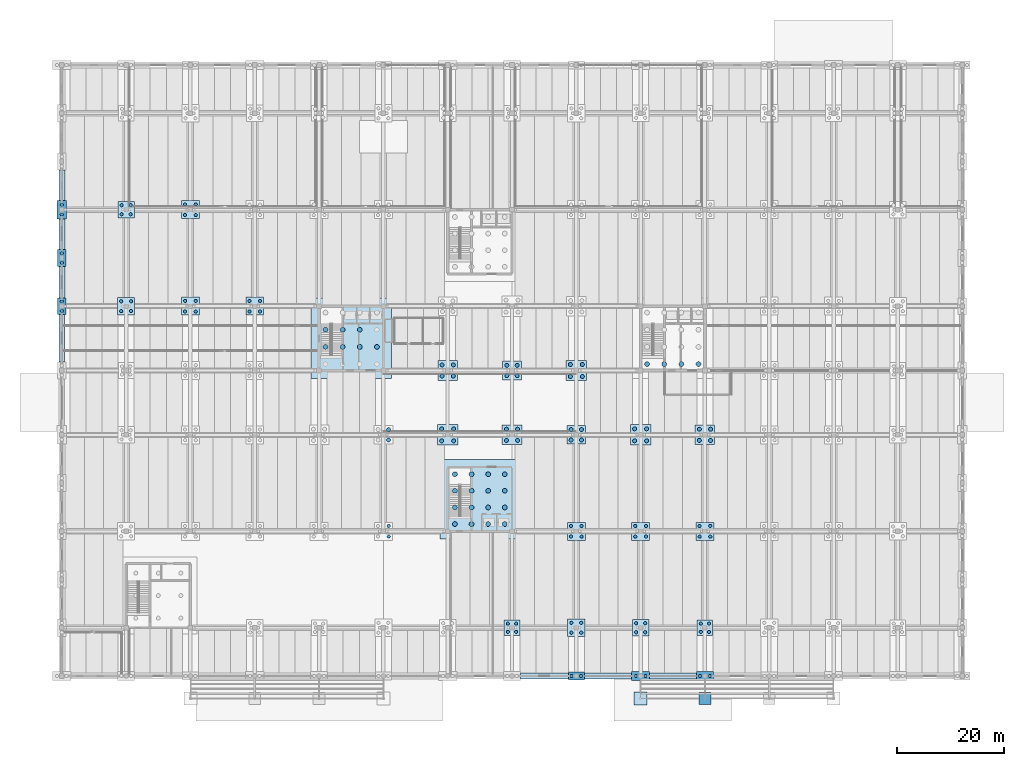
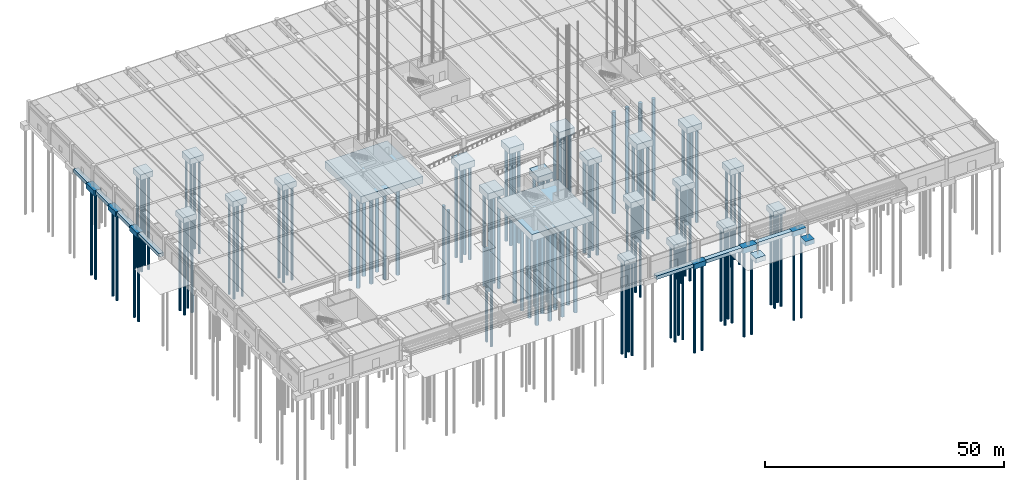
# One storey, part 2 of 59: 123 piles, 37 footings.
"""IFC4 building model written with IfcOpenShell, lengths in metres."""

from ifc_helpers import new_model, si_unit, direction, frame, origin, origin_2d, place, context, subcontext, project, spatial, rectangle, circle, extrude, material, material_profile, profile_set, type_object, element, save


model = new_model("IFC4")

# Units and contexts
model_context = context("Model", 3, precision=1e-05, world=origin(), true_north=direction((0.0, 1.0)))
body_context = subcontext(model_context, "Body", "Model", "MODEL_VIEW")
ifc_project = project(units=[si_unit("LENGTHUNIT", "METRE"), si_unit("AREAUNIT", "SQUARE_METRE"), si_unit("VOLUMEUNIT", "CUBIC_METRE"), si_unit("PLANEANGLEUNIT", "RADIAN"), si_unit("MASSUNIT", "GRAM", prefix="KILO")], contexts=[model_context])

# Site, building, storey
site_placement = place(None, origin())
site = spatial("IfcSite", under=ifc_project, at=site_placement, CompositionType="ELEMENT")
building_placement = place(site_placement, origin())
building = spatial("IfcBuilding", under=site, at=building_placement, Name="Girod Span Mobility Hub", CompositionType="ELEMENT")
storey_placement = place(building_placement, origin())
storey = spatial("IfcBuildingStorey", under=building, at=storey_placement, Name="L00", CompositionType="ELEMENT", Elevation=0.0)

# Footings
ifc_material_1 = material(Name="Concrete C40/50", Category="concrete")
footing_type_1 = type_object("IfcFootingType", Name="FT-MAT-1480", PredefinedType="PAD_FOOTING", material=ifc_material_1)
footing_1_placement = place(storey_placement, frame((78.0, 33.0, -1.7001953125), z_axis=(0.0, 0.0, 1.0), x_axis=(1.0, 0.0, 0.0)))
element("IfcFooting", 1, at=footing_1_placement, inside=storey, type_object=footing_type_1, Name="Core C3 Mat Foundation", PredefinedType="PAD_FOOTING", context=body_context, shape_type="SweptSolid", body=[
    extrude(rectangle(XDim=14.800048828125, YDim=14.800048828125, at=origin_2d()), origin(), (0.0, 0.0, 1.0), 1.699951171875),
])
ifc_material_2 = material(Name="Concrete C40/50", Category="concrete")
footing_type_2 = type_object("IfcFootingType", Name="FT-MAT-1500", PredefinedType="PAD_FOOTING", material=ifc_material_2)
footing_2_placement = place(storey_placement, frame((54.0, 63.0, -1.7998046875), z_axis=(0.0, 0.0, 1.0), x_axis=(1.0, 0.0, 0.0)))
element("IfcFooting", 2, at=footing_2_placement, inside=storey, type_object=footing_type_2, Name="Core C1 Mat Foundation", PredefinedType="PAD_FOOTING", context=body_context, shape_type="SweptSolid", body=[
    extrude(rectangle(XDim=15.0, YDim=15.0, at=origin_2d()), origin(), (0.0, 0.0, 1.0), 1.800048828125),
])
ifc_material_3 = material(Name="Concrete C40/50", Category="concrete")
footing_type_3 = type_object("IfcFootingType", Name="FT-PAD-2200", PredefinedType="PAD_FOOTING", material=ifc_material_3)
footing_3_placement = place(storey_placement, frame((120.0, -4.199951171875, -1.14990234375), z_axis=(0.0, 0.0, 1.0), x_axis=(1.0, 0.0, 0.0)))
element("IfcFooting", 3, at=footing_3_placement, inside=storey, type_object=footing_type_3, Name="Boulevard Canopy Pad Footing 6", PredefinedType="PAD_FOOTING", context=body_context, shape_type="SweptSolid", body=[
    extrude(rectangle(XDim=2.199951171875, YDim=2.199951171875, at=origin_2d()), origin(), (0.0, 0.0, 1.0), 1.14990234375),
])
ifc_material_4 = material(Name="Concrete C40/50", Category="concrete")
footing_type_4 = type_object("IfcFootingType", Name="FT-PAD-2400", PredefinedType="PAD_FOOTING", material=ifc_material_4)
footing_4_placement = place(storey_placement, frame((108.0, -4.199951171875, -1.2001953125), z_axis=(0.0, 0.0, 1.0), x_axis=(1.0, 0.0, 0.0)))
element("IfcFooting", 4, at=footing_4_placement, inside=storey, type_object=footing_type_4, Name="Boulevard Canopy Pad Footing 5", PredefinedType="PAD_FOOTING", context=body_context, shape_type="SweptSolid", body=[
    extrude(rectangle(XDim=2.39990234375, YDim=2.39990234375, at=origin_2d()), origin(), (0.0, 0.0, 1.0), 1.199951171875),
])
ifc_material_5 = material(Name="Concrete C40/50", Category="concrete")
footing_type_5 = type_object("IfcFootingType", Name="FT-PC2-1550X3100", PredefinedType="PILE_CAP", material=ifc_material_5)
footing_5_placement = place(storey_placement, frame((0.0, 69.0, -1.2998046875), z_axis=(0.0, 0.0, 1.0), x_axis=(1.0, 0.0, 0.0)))
element("IfcFooting", 5, at=footing_5_placement, inside=storey, type_object=footing_type_5, Name="Pile Cap 1F", PredefinedType="PILE_CAP", context=body_context, shape_type="SweptSolid", body=[
    extrude(rectangle(XDim=1.550048828125, YDim=3.10009765625, at=origin_2d()), origin(), (0.0, 0.0, 1.0), 1.300048828125),
])
ifc_material_6 = material(Name="Concrete C40/50", Category="concrete")
footing_type_6 = type_object("IfcFootingType", Name="FT-PC2-1600X3200", PredefinedType="PILE_CAP", material=ifc_material_6)
footing_6_placement = place(storey_placement, frame((0.0, 78.0, -1.35009765625), z_axis=(0.0, 0.0, 1.0), x_axis=(1.0, 0.0, 0.0)))
element("IfcFooting", 6, at=footing_6_placement, inside=storey, type_object=footing_type_6, Name="Pilaster Pile Cap PIL-W-78", PredefinedType="PILE_CAP", context=body_context, shape_type="SweptSolid", body=[
    extrude(rectangle(XDim=1.60009765625, YDim=3.199951171875, at=origin_2d()), origin(), (0.0, 0.0, 1.0), 1.35009765625),
])
ifc_material_7 = material(Name="Concrete C40/50", Category="concrete")
footing_type_7 = type_object("IfcFootingType", Name="FT-PC2-1700X3400", PredefinedType="PILE_CAP", material=ifc_material_7)
footing_7_placement = place(storey_placement, frame((0.0, 87.0, -1.39990234375), z_axis=(0.0, 0.0, 1.0), x_axis=(1.0, 0.0, 0.0)))
element("IfcFooting", 7, at=footing_7_placement, inside=storey, type_object=footing_type_7, Name="Pile Cap 1G", PredefinedType="PILE_CAP", context=body_context, shape_type="SweptSolid", body=[
    extrude(rectangle(XDim=1.699951171875, YDim=3.39990234375, at=origin_2d()), origin(), (0.0, 0.0, 1.0), 1.39990234375),
])
ifc_material_8 = material(Name="Concrete C40/50", Category="concrete")
footing_type_8 = type_object("IfcFootingType", Name="FT-PC2-3000X1500", PredefinedType="PILE_CAP", material=ifc_material_8)
footing_8_placement = place(storey_placement, frame((96.0, 0.0, -1.2998046875), z_axis=(0.0, 0.0, 1.0), x_axis=(1.0, 0.0, 0.0)))
element("IfcFooting", 8, at=footing_8_placement, inside=storey, type_object=footing_type_8, Name="Pile Cap 9A", PredefinedType="PILE_CAP", context=body_context, shape_type="SweptSolid", body=[
    extrude(rectangle(XDim=3.0, YDim=1.5, at=origin_2d()), origin(), (0.0, 0.0, 1.0), 1.300048828125),
])
ifc_material_9 = material(Name="Concrete C40/50", Category="concrete")
footing_type_9 = type_object("IfcFootingType", Name="FT-PC2-3200X1600", PredefinedType="PILE_CAP", material=ifc_material_9)
footing_9_placement = place(storey_placement, frame((120.0, 0.0, -1.35009765625), z_axis=(0.0, 0.0, 1.0), x_axis=(1.0, 0.0, 0.0)))
element("IfcFooting", 9, at=footing_9_placement, inside=storey, type_object=footing_type_9, Name="Pile Cap 11A", PredefinedType="PILE_CAP", context=body_context, shape_type="SweptSolid", body=[
    extrude(rectangle(XDim=3.199951171875, YDim=1.60009765625, at=origin_2d()), origin(), (0.0, 0.0, 1.0), 1.35009765625),
])
ifc_material_10 = material(Name="Concrete C40/50", Category="concrete")
footing_type_10 = type_object("IfcFootingType", Name="FT-PC2-3400X1700", PredefinedType="PILE_CAP", material=ifc_material_10)
footing_10_placement = place(storey_placement, frame((108.0, 0.0, -1.39990234375), z_axis=(0.0, 0.0, 1.0), x_axis=(1.0, 0.0, 0.0)))
element("IfcFooting", 10, at=footing_10_placement, inside=storey, type_object=footing_type_10, Name="Pile Cap 10A", PredefinedType="PILE_CAP", context=body_context, shape_type="SweptSolid", body=[
    extrude(rectangle(XDim=3.39990234375, YDim=1.699951171875, at=origin_2d()), origin(), (0.0, 0.0, 1.0), 1.39990234375),
])
ifc_material_11 = material(Name="Concrete C40/50", Category="concrete")
footing_type_11 = type_object("IfcFootingType", Name="FT-PC4-2900", PredefinedType="PILE_CAP", material=ifc_material_11)
for number, where, z_axis, x_axis, name in (
    (11, (84.0, 9.0, -1.35009765625), (0.0, 0.0, 1.0), (1.0, 0.0, 0.0), "Pile Cap 8B"),
    (12, (120.0, 9.0, -1.35009765625), (0.0, 0.0, 1.0), (1.0, 0.0, 0.0), "Pile Cap 11B"),
):
    element("IfcFooting", number, at=place(storey_placement, frame(where, z_axis=z_axis, x_axis=x_axis)), inside=storey, type_object=footing_type_11, Name=name, PredefinedType="PILE_CAP", context=body_context, shape_type="SweptSolid", body=[
        extrude(rectangle(XDim=2.89990234375, YDim=2.89990234375, at=origin_2d()), origin(), (0.0, 0.0, 1.0), 1.35009765625),
    ])
ifc_material_12 = material(Name="Concrete C40/50", Category="concrete")
footing_type_12 = type_object("IfcFootingType", Name="FT-PC4-3050", PredefinedType="PILE_CAP", material=ifc_material_12)
for number, where, z_axis, x_axis, name in (
    (13, (12.0, 87.0, -1.39990234375), (0.0, 0.0, 1.0), (1.0, 0.0, 0.0), "Pile Cap 2G"),
    (14, (108.0, 9.0, -1.39990234375), (0.0, 0.0, 1.0), (1.0, 0.0, 0.0), "Pile Cap 10B"),
):
    element("IfcFooting", number, at=place(storey_placement, frame(where, z_axis=z_axis, x_axis=x_axis)), inside=storey, type_object=footing_type_12, Name=name, PredefinedType="PILE_CAP", context=body_context, shape_type="SweptSolid", body=[
        extrude(rectangle(XDim=3.050048828125, YDim=3.050048828125, at=origin_2d()), origin(), (0.0, 0.0, 1.0), 1.39990234375),
    ])
ifc_material_13 = material(Name="Concrete C40/50", Category="concrete")
footing_type_13 = type_object("IfcFootingType", Name="FT-PC4-3200", PredefinedType="PILE_CAP", material=ifc_material_13)
for number, where, z_axis, x_axis, name in (
    (15, (12.0, 69.0, -1.4501953125), (0.0, 0.0, 1.0), (1.0, 0.0, 0.0), "Pile Cap 2F"),
    (16, (96.0, 9.0, -1.4501953125), (0.0, 0.0, 1.0), (1.0, 0.0, 0.0), "Pile Cap 9B"),
):
    element("IfcFooting", number, at=place(storey_placement, frame(where, z_axis=z_axis, x_axis=x_axis)), inside=storey, type_object=footing_type_13, Name=name, PredefinedType="PILE_CAP", context=body_context, shape_type="SweptSolid", body=[
        extrude(rectangle(XDim=3.199951171875, YDim=3.199951171875, at=origin_2d()), origin(), (0.0, 0.0, 1.0), 1.449951171875),
    ])
ifc_material_14 = material(Name="Concrete C40/50", Category="concrete")
footing_type_14 = type_object("IfcFootingType", Name="FT-PC4-3350", PredefinedType="PILE_CAP", material=ifc_material_14)
for number, where, z_axis, x_axis, name in (
    (17, (24.0, 69.0, -1.5), (0.0, 0.0, 1.0), (1.0, 0.0, 0.0), "Pile Cap 3F"),
    (18, (24.0, 87.0, -1.5), (0.0, 0.0, 1.0), (1.0, 0.0, 0.0), "Pile Cap 3G"),
    (19, (36.0, 69.0, -1.5), (0.0, 0.0, 1.0), (1.0, 0.0, 0.0), "Pile Cap 4F"),
    (20, (96.0, 27.0, -1.5), (0.0, 0.0, 1.0), (1.0, 0.0, 0.0), "Pile Cap 9C"),
    (21, (108.0, 27.0, -1.5), (0.0, 0.0, 1.0), (1.0, 0.0, 0.0), "Pile Cap 10C"),
    (22, (120.0, 27.0, -1.5), (0.0, 0.0, 1.0), (1.0, 0.0, 0.0), "Pile Cap 11C"),
):
    element("IfcFooting", number, at=place(storey_placement, frame(where, z_axis=z_axis, x_axis=x_axis)), inside=storey, type_object=footing_type_14, Name=name, PredefinedType="PILE_CAP", context=body_context, shape_type="SweptSolid", body=[
        extrude(rectangle(XDim=3.35009765625, YDim=3.35009765625, at=origin_2d()), origin(), (0.0, 0.0, 1.0), 1.5),
    ])
ifc_material_15 = material(Name="Concrete C40/50", Category="concrete")
footing_type_15 = type_object("IfcFootingType", Name="FT-PC4-3500", PredefinedType="PILE_CAP", material=ifc_material_15)
for number, where, z_axis, x_axis, name in (
    (23, (84.0, 57.0, -1.5498046875), (0.0, 0.0, 1.0), (1.0, 0.0, 0.0), "Pile Cap 8E"),
    (24, (96.0, 45.0, -1.5498046875), (0.0, 0.0, 1.0), (1.0, 0.0, 0.0), "Pile Cap 9D"),
):
    element("IfcFooting", number, at=place(storey_placement, frame(where, z_axis=z_axis, x_axis=x_axis)), inside=storey, type_object=footing_type_15, Name=name, PredefinedType="PILE_CAP", context=body_context, shape_type="SweptSolid", body=[
        extrude(rectangle(XDim=3.5, YDim=3.5, at=origin_2d()), origin(), (0.0, 0.0, 1.0), 1.550048828125),
    ])
ifc_material_16 = material(Name="Concrete C40/50", Category="concrete")
footing_type_16 = type_object("IfcFootingType", Name="FT-PC4-3650", PredefinedType="PILE_CAP", material=ifc_material_16)
for number, where, z_axis, x_axis, name in (
    (25, (72.0, 57.0, -1.60009765625), (0.0, 0.0, 1.0), (1.0, 0.0, 0.0), "Pile Cap 7E"),
    (26, (84.0, 45.0, -1.60009765625), (0.0, 0.0, 1.0), (1.0, 0.0, 0.0), "Pile Cap 8D"),
    (27, (120.0, 45.0, -1.60009765625), (0.0, 0.0, 1.0), (1.0, 0.0, 0.0), "Pile Cap 11D"),
):
    element("IfcFooting", number, at=place(storey_placement, frame(where, z_axis=z_axis, x_axis=x_axis)), inside=storey, type_object=footing_type_16, Name=name, PredefinedType="PILE_CAP", context=body_context, shape_type="SweptSolid", body=[
        extrude(rectangle(XDim=3.64990234375, YDim=3.64990234375, at=origin_2d()), origin(), (0.0, 0.0, 1.0), 1.60009765625),
    ])
ifc_material_17 = material(Name="Concrete C40/50", Category="concrete")
footing_type_17 = type_object("IfcFootingType", Name="FT-PC4-3800", PredefinedType="PILE_CAP", material=ifc_material_17)
for number, where, z_axis, x_axis, name in (
    (28, (72.0, 45.0, -1.64990234375), (0.0, 0.0, 1.0), (1.0, 0.0, 0.0), "Pile Cap 7D"),
    (29, (96.0, 57.0, -1.64990234375), (0.0, 0.0, 1.0), (1.0, 0.0, 0.0), "Pile Cap 9E"),
    (30, (108.0, 45.0, -1.64990234375), (0.0, 0.0, 1.0), (1.0, 0.0, 0.0), "Pile Cap 10D"),
):
    element("IfcFooting", number, at=place(storey_placement, frame(where, z_axis=z_axis, x_axis=x_axis)), inside=storey, type_object=footing_type_17, Name=name, PredefinedType="PILE_CAP", context=body_context, shape_type="SweptSolid", body=[
        extrude(rectangle(XDim=3.800048828125, YDim=3.800048828125, at=origin_2d()), origin(), (0.0, 0.0, 1.0), 1.64990234375),
    ])
ifc_material_18 = material(Name="Concrete C40/50", Category="concrete")
footing_type_18 = type_object("IfcFootingType", Name="FT-SF-X900", PredefinedType="STRIP_FOOTING", material=ifc_material_18)
footing_11_placement = place(storey_placement, frame((90.050048828125, 0.0, -0.89990234375), z_axis=(0.0, 0.0, 1.0), x_axis=(1.0, 0.0, 0.0)))
element("IfcFooting", 31, at=footing_11_placement, inside=storey, type_object=footing_type_18, Name="Perimeter Strip Footing SF-8", PredefinedType="STRIP_FOOTING", context=body_context, shape_type="SweptSolid", body=[
    extrude(rectangle(XDim=8.89990234375, YDim=1.10009765625, at=origin_2d()), origin(), (0.0, 0.0, 1.0), 0.89990234375),
])
footing_12_placement = place(storey_placement, frame((101.89990234375, 0.0, -0.89990234375), z_axis=(0.0, 0.0, 1.0), x_axis=(1.0, 0.0, 0.0)))
element("IfcFooting", 32, at=footing_12_placement, inside=storey, type_object=footing_type_18, Name="Perimeter Strip Footing SF-9", PredefinedType="STRIP_FOOTING", context=body_context, shape_type="SweptSolid", body=[
    extrude(rectangle(XDim=8.800048828125, YDim=1.10009765625, at=origin_2d()), origin(), (0.0, 0.0, 1.0), 0.89990234375),
])
footing_13_placement = place(storey_placement, frame((114.050048828125, 0.0, -0.89990234375), z_axis=(0.0, 0.0, 1.0), x_axis=(1.0, 0.0, 0.0)))
element("IfcFooting", 33, at=footing_13_placement, inside=storey, type_object=footing_type_18, Name="Perimeter Strip Footing SF-10", PredefinedType="STRIP_FOOTING", context=body_context, shape_type="SweptSolid", body=[
    extrude(rectangle(XDim=8.699951171875, YDim=1.10009765625, at=origin_2d()), origin(), (0.0, 0.0, 1.0), 0.89990234375),
])
ifc_material_19 = material(Name="Concrete C40/50", Category="concrete")
footing_type_19 = type_object("IfcFootingType", Name="FT-SF-Y850", PredefinedType="STRIP_FOOTING", material=ifc_material_19)
footing_14_placement = place(storey_placement, frame((0.0, 63.02490234375, -0.85009765625), z_axis=(0.0, 0.0, 1.0), x_axis=(1.0, 0.0, 0.0)))
element("IfcFooting", 34, at=footing_14_placement, inside=storey, type_object=footing_type_19, Name="Perimeter Strip Footing SF-35", PredefinedType="STRIP_FOOTING", context=body_context, shape_type="SweptSolid", body=[
    extrude(rectangle(XDim=1.050048828125, YDim=8.85009765625, at=origin_2d()), origin(), (0.0, 0.0, 1.0), 0.85009765625),
])
ifc_material_20 = material(Name="Concrete C40/50", Category="concrete")
footing_type_20 = type_object("IfcFootingType", Name="FT-SF-Y900", PredefinedType="STRIP_FOOTING", material=ifc_material_20)
footing_15_placement = place(storey_placement, frame((0.0, 73.47509765625, -0.89990234375), z_axis=(0.0, 0.0, 1.0), x_axis=(1.0, 0.0, 0.0)))
element("IfcFooting", 35, at=footing_15_placement, inside=storey, type_object=footing_type_20, Name="Perimeter Strip Footing SF-36", PredefinedType="STRIP_FOOTING", context=body_context, shape_type="SweptSolid", body=[
    extrude(rectangle(XDim=1.10009765625, YDim=5.85009765625, at=origin_2d()), origin(), (0.0, 0.0, 1.0), 0.89990234375),
])
for number, where, z_axis, x_axis, name in (
    (36, (0.0, 82.449951171875, -0.89990234375), (0.0, 0.0, 1.0), (1.0, 0.0, 0.0), "Perimeter Strip Footing SF-37"),
    (37, (0.0, 91.550048828125, -0.89990234375), (0.0, 0.0, 1.0), (1.0, 0.0, 0.0), "Perimeter Strip Footing SF-38"),
):
    element("IfcFooting", number, at=place(storey_placement, frame(where, z_axis=z_axis, x_axis=x_axis)), inside=storey, type_object=footing_type_20, Name=name, PredefinedType="STRIP_FOOTING", context=body_context, shape_type="SweptSolid", body=[
        extrude(rectangle(XDim=1.10009765625, YDim=5.699951171875, at=origin_2d()), origin(), (0.0, 0.0, 1.0), 0.89990234375),
    ])

# Piles
ifc_material_21 = material(Name="Concrete C40/50", Category="concrete")
ifc_material_profile_1 = material_profile(ifc_material_21, circle(Radius=0.449951171875, at=origin_2d()), Name="PILE-D900")
ifc_profile_set_1 = profile_set([ifc_material_profile_1], Name="Concrete C40/50")
pile_type_1 = type_object("IfcPileType", Name="PL-B900-24M", PredefinedType="BORED", material=ifc_profile_set_1)
for number, where, z_axis, x_axis, name in (
    (38, (73.35009765625, 28.35009765625, -1.60009765625), (0.0, 0.0, -1.0), (1.0, 0.0, 0.0), "Core C3 Bored Pile 1"),
    (39, (73.35009765625, 31.449951171875, -1.60009765625), (0.0, 0.0, -1.0), (1.0, 0.0, 0.0), "Core C3 Bored Pile 2"),
    (40, (73.35009765625, 34.550048828125, -1.60009765625), (0.0, 0.0, -1.0), (1.0, 0.0, 0.0), "Core C3 Bored Pile 3"),
    (41, (73.35009765625, 37.64990234375, -1.60009765625), (0.0, 0.0, -1.0), (1.0, 0.0, 0.0), "Core C3 Bored Pile 4"),
    (42, (76.449951171875, 28.35009765625, -1.60009765625), (0.0, 0.0, -1.0), (1.0, 0.0, 0.0), "Core C3 Bored Pile 5"),
    (43, (76.449951171875, 31.449951171875, -1.60009765625), (0.0, 0.0, -1.0), (1.0, 0.0, 0.0), "Core C3 Bored Pile 6"),
    (44, (76.449951171875, 34.550048828125, -1.60009765625), (0.0, 0.0, -1.0), (1.0, 0.0, 0.0), "Core C3 Bored Pile 7"),
    (45, (76.449951171875, 37.64990234375, -1.60009765625), (0.0, 0.0, -1.0), (1.0, 0.0, 0.0), "Core C3 Bored Pile 8"),
    (46, (79.550048828125, 28.35009765625, -1.60009765625), (0.0, 0.0, -1.0), (1.0, 0.0, 0.0), "Core C3 Bored Pile 9"),
    (47, (79.550048828125, 31.449951171875, -1.60009765625), (0.0, 0.0, -1.0), (1.0, 0.0, 0.0), "Core C3 Bored Pile 10"),
    (48, (79.550048828125, 34.550048828125, -1.60009765625), (0.0, 0.0, -1.0), (1.0, 0.0, 0.0), "Core C3 Bored Pile 11"),
    (49, (79.550048828125, 37.64990234375, -1.60009765625), (0.0, 0.0, -1.0), (1.0, 0.0, 0.0), "Core C3 Bored Pile 12"),
    (50, (82.64990234375, 28.35009765625, -1.60009765625), (0.0, 0.0, -1.0), (1.0, 0.0, 0.0), "Core C3 Bored Pile 13"),
    (51, (82.64990234375, 31.449951171875, -1.60009765625), (0.0, 0.0, -1.0), (1.0, 0.0, 0.0), "Core C3 Bored Pile 14"),
    (52, (82.64990234375, 34.550048828125, -1.60009765625), (0.0, 0.0, -1.0), (1.0, 0.0, 0.0), "Core C3 Bored Pile 15"),
    (53, (82.64990234375, 37.64990234375, -1.60009765625), (0.0, 0.0, -1.0), (1.0, 0.0, 0.0), "Core C3 Bored Pile 16"),
):
    element("IfcPile", number, at=place(storey_placement, frame(where, z_axis=z_axis, x_axis=x_axis)), inside=storey, type_object=pile_type_1, Name=name, PredefinedType="BORED", context=body_context, shape_type="SweptSolid", body=[
        extrude(circle(Radius=0.449951171875, at=origin_2d()), origin(), (0.0, 0.0, 1.0), 24.0),
    ])
ifc_material_22 = material(Name="Concrete C40/50", Category="concrete")
ifc_material_profile_2 = material_profile(ifc_material_22, circle(Radius=0.449951171875, at=origin_2d()), Name="PILE-D900")
ifc_profile_set_2 = profile_set([ifc_material_profile_2], Name="Concrete C40/50")
pile_type_2 = type_object("IfcPileType", Name="PL-B900-26M", PredefinedType="BORED", material=ifc_profile_set_2)
for number, where, z_axis, x_axis, name in (
    (54, (49.199951171875, 61.39990234375, -1.699951171875), (0.0, 0.0, -1.0), (1.0, 0.0, 0.0), "Core C1 Bored Pile 2"),
    (55, (49.199951171875, 64.60009765625, -1.699951171875), (0.0, 0.0, -1.0), (1.0, 0.0, 0.0), "Core C1 Bored Pile 3"),
    (56, (52.39990234375, 61.39990234375, -1.699951171875), (0.0, 0.0, -1.0), (1.0, 0.0, 0.0), "Core C1 Bored Pile 6"),
    (57, (52.39990234375, 64.60009765625, -1.699951171875), (0.0, 0.0, -1.0), (1.0, 0.0, 0.0), "Core C1 Bored Pile 7"),
    (58, (55.60009765625, 61.39990234375, -1.699951171875), (0.0, 0.0, -1.0), (1.0, 0.0, 0.0), "Core C1 Bored Pile 10"),
    (59, (55.60009765625, 64.60009765625, -1.699951171875), (0.0, 0.0, -1.0), (1.0, 0.0, 0.0), "Core C1 Bored Pile 11"),
    (60, (58.800048828125, 61.39990234375, -1.699951171875), (0.0, 0.0, -1.0), (1.0, 0.0, 0.0), "Core C1 Bored Pile 14"),
    (61, (109.199951171875, 58.199951171875, -1.699951171875), (0.0, 0.0, -1.0), (1.0, 0.0, 0.0), "Core C2 Bored Pile 1"),
    (62, (112.39990234375, 58.199951171875, -1.699951171875), (0.0, 0.0, -1.0), (1.0, 0.0, 0.0), "Core C2 Bored Pile 5"),
    (63, (115.60009765625, 58.199951171875, -1.699951171875), (0.0, 0.0, -1.0), (1.0, 0.0, 0.0), "Core C2 Bored Pile 9"),
    (64, (118.800048828125, 58.199951171875, -1.699951171875), (0.0, 0.0, -1.0), (1.0, 0.0, 0.0), "Core C2 Bored Pile 13"),
):
    element("IfcPile", number, at=place(storey_placement, frame(where, z_axis=z_axis, x_axis=x_axis)), inside=storey, type_object=pile_type_2, Name=name, PredefinedType="BORED", context=body_context, shape_type="SweptSolid", body=[
        extrude(circle(Radius=0.449951171875, at=origin_2d()), origin(), (0.0, 0.0, 1.0), 26.0),
    ])
ifc_material_23 = material(Name="Concrete C40/50", Category="concrete")
ifc_material_profile_3 = material_profile(ifc_material_23, circle(Radius=0.300048828125, at=origin_2d()), Name="PILE-D600")
ifc_profile_set_3 = profile_set([ifc_material_profile_3], Name="Concrete C40/50")
pile_type_3 = type_object("IfcPileType", Name="PL-D600-22M", PredefinedType="DRIVEN", material=ifc_profile_set_3)
for number, where, z_axis, x_axis, name in (
    (65, (0.0, 68.10009765625, -1.199951171875), (0.0, 0.0, -1.0), (1.0, 0.0, 0.0), "Driven Pile 1F-1"),
    (66, (0.0, 69.89990234375, -1.199951171875), (0.0, 0.0, -1.0), (1.0, 0.0, 0.0), "Driven Pile 1F-2"),
    (67, (0.0, 86.10009765625, -1.300048828125), (0.0, 0.0, -1.0), (1.0, 0.0, 0.0), "Driven Pile 1G-1"),
    (68, (0.0, 87.89990234375, -1.300048828125), (0.0, 0.0, -1.0), (1.0, 0.0, 0.0), "Driven Pile 1G-2"),
    (69, (95.10009765625, 0.0, -1.199951171875), (0.0, 0.0, -1.0), (1.0, 0.0, 0.0), "Driven Pile 9A-1"),
    (70, (96.89990234375, 0.0, -1.199951171875), (0.0, 0.0, -1.0), (1.0, 0.0, 0.0), "Driven Pile 9A-2"),
    (71, (107.10009765625, 0.0, -1.300048828125), (0.0, 0.0, -1.0), (1.0, 0.0, 0.0), "Driven Pile 10A-1"),
    (72, (108.89990234375, 0.0, -1.300048828125), (0.0, 0.0, -1.0), (1.0, 0.0, 0.0), "Driven Pile 10A-2"),
    (73, (119.10009765625, 0.0, -1.25), (0.0, 0.0, -1.0), (1.0, 0.0, 0.0), "Driven Pile 11A-1"),
    (74, (120.89990234375, 0.0, -1.25), (0.0, 0.0, -1.0), (1.0, 0.0, 0.0), "Driven Pile 11A-2"),
    (75, (0.0, 77.10009765625, -1.25), (0.0, 0.0, -1.0), (1.0, 0.0, 0.0), "Pilaster Driven Pile PIL-W-78-1"),
    (76, (0.0, 78.89990234375, -1.25), (0.0, 0.0, -1.0), (1.0, 0.0, 0.0), "Pilaster Driven Pile PIL-W-78-2"),
):
    element("IfcPile", number, at=place(storey_placement, frame(where, z_axis=z_axis, x_axis=x_axis)), inside=storey, type_object=pile_type_3, Name=name, PredefinedType="DRIVEN", context=body_context, shape_type="SweptSolid", body=[
        extrude(circle(Radius=0.300048828125, at=origin_2d()), origin(), (0.0, 0.0, 1.0), 22.0),
    ])
ifc_material_24 = material(Name="Concrete C40/50", Category="concrete")
ifc_material_profile_4 = material_profile(ifc_material_24, circle(Radius=0.300048828125, at=origin_2d()), Name="PILE-D600")
ifc_profile_set_4 = profile_set([ifc_material_profile_4], Name="Concrete C40/50")
pile_type_4 = type_object("IfcPileType", Name="PL-D600-24M", PredefinedType="DRIVEN", material=ifc_profile_set_4)
for number, where, z_axis, x_axis, name in (
    (77, (11.080078125, 68.080078125, -1.35009765625), (0.0, 0.0, -1.0), (1.0, 0.0, 0.0), "Driven Pile 2F-1"),
    (78, (12.919921875, 68.080078125, -1.35009765625), (0.0, 0.0, -1.0), (1.0, 0.0, 0.0), "Driven Pile 2F-2"),
    (79, (11.080078125, 69.919921875, -1.35009765625), (0.0, 0.0, -1.0), (1.0, 0.0, 0.0), "Driven Pile 2F-3"),
    (80, (12.919921875, 69.919921875, -1.35009765625), (0.0, 0.0, -1.0), (1.0, 0.0, 0.0), "Driven Pile 2F-4"),
    (81, (11.155029296875, 86.155029296875, -1.300048828125), (0.0, 0.0, -1.0), (1.0, 0.0, 0.0), "Driven Pile 2G-1"),
    (82, (12.844970703125, 86.155029296875, -1.300048828125), (0.0, 0.0, -1.0), (1.0, 0.0, 0.0), "Driven Pile 2G-2"),
    (83, (11.155029296875, 87.844970703125, -1.300048828125), (0.0, 0.0, -1.0), (1.0, 0.0, 0.0), "Driven Pile 2G-3"),
    (84, (12.844970703125, 87.844970703125, -1.300048828125), (0.0, 0.0, -1.0), (1.0, 0.0, 0.0), "Driven Pile 2G-4"),
    (85, (23.0048828125, 68.0048828125, -1.39990234375), (0.0, 0.0, -1.0), (1.0, 0.0, 0.0), "Driven Pile 3F-1"),
    (86, (24.9951171875, 68.0048828125, -1.39990234375), (0.0, 0.0, -1.0), (1.0, 0.0, 0.0), "Driven Pile 3F-2"),
    (87, (23.0048828125, 69.9951171875, -1.39990234375), (0.0, 0.0, -1.0), (1.0, 0.0, 0.0), "Driven Pile 3F-3"),
    (88, (24.9951171875, 69.9951171875, -1.39990234375), (0.0, 0.0, -1.0), (1.0, 0.0, 0.0), "Driven Pile 3F-4"),
    (89, (23.0048828125, 86.0048828125, -1.39990234375), (0.0, 0.0, -1.0), (1.0, 0.0, 0.0), "Driven Pile 3G-1"),
    (90, (24.9951171875, 86.0048828125, -1.39990234375), (0.0, 0.0, -1.0), (1.0, 0.0, 0.0), "Driven Pile 3G-2"),
    (91, (23.0048828125, 87.9951171875, -1.39990234375), (0.0, 0.0, -1.0), (1.0, 0.0, 0.0), "Driven Pile 3G-3"),
    (92, (24.9951171875, 87.9951171875, -1.39990234375), (0.0, 0.0, -1.0), (1.0, 0.0, 0.0), "Driven Pile 3G-4"),
    (93, (35.0048828125, 68.0048828125, -1.39990234375), (0.0, 0.0, -1.0), (1.0, 0.0, 0.0), "Driven Pile 4F-1"),
    (94, (36.9951171875, 68.0048828125, -1.39990234375), (0.0, 0.0, -1.0), (1.0, 0.0, 0.0), "Driven Pile 4F-2"),
    (95, (35.0048828125, 69.9951171875, -1.39990234375), (0.0, 0.0, -1.0), (1.0, 0.0, 0.0), "Driven Pile 4F-3"),
    (96, (36.9951171875, 69.9951171875, -1.39990234375), (0.0, 0.0, -1.0), (1.0, 0.0, 0.0), "Driven Pile 4F-4"),
    (97, (60.9951171875, 26.0048828125, -1.39990234375), (0.0, 0.0, -1.0), (1.0, 0.0, 0.0), "Driven Pile 6C-2"),
    (98, (60.9951171875, 27.9951171875, -1.39990234375), (0.0, 0.0, -1.0), (1.0, 0.0, 0.0), "Driven Pile 6C-4"),
    (99, (83.22998046875, 8.22998046875, -1.25), (0.0, 0.0, -1.0), (1.0, 0.0, 0.0), "Driven Pile 8B-1"),
    (100, (84.77001953125, 8.22998046875, -1.25), (0.0, 0.0, -1.0), (1.0, 0.0, 0.0), "Driven Pile 8B-2"),
    (101, (83.22998046875, 9.77001953125, -1.25), (0.0, 0.0, -1.0), (1.0, 0.0, 0.0), "Driven Pile 8B-3"),
    (102, (84.77001953125, 9.77001953125, -1.25), (0.0, 0.0, -1.0), (1.0, 0.0, 0.0), "Driven Pile 8B-4"),
    (103, (95.080078125, 8.080078125, -1.35009765625), (0.0, 0.0, -1.0), (1.0, 0.0, 0.0), "Driven Pile 9B-1"),
    (104, (96.919921875, 8.080078125, -1.35009765625), (0.0, 0.0, -1.0), (1.0, 0.0, 0.0), "Driven Pile 9B-2"),
    (105, (95.080078125, 9.919921875, -1.35009765625), (0.0, 0.0, -1.0), (1.0, 0.0, 0.0), "Driven Pile 9B-3"),
    (106, (96.919921875, 9.919921875, -1.35009765625), (0.0, 0.0, -1.0), (1.0, 0.0, 0.0), "Driven Pile 9B-4"),
    (107, (95.0048828125, 26.0048828125, -1.39990234375), (0.0, 0.0, -1.0), (1.0, 0.0, 0.0), "Driven Pile 9C-1"),
    (108, (96.9951171875, 26.0048828125, -1.39990234375), (0.0, 0.0, -1.0), (1.0, 0.0, 0.0), "Driven Pile 9C-2"),
    (109, (95.0048828125, 27.9951171875, -1.39990234375), (0.0, 0.0, -1.0), (1.0, 0.0, 0.0), "Driven Pile 9C-3"),
    (110, (96.9951171875, 27.9951171875, -1.39990234375), (0.0, 0.0, -1.0), (1.0, 0.0, 0.0), "Driven Pile 9C-4"),
    (111, (107.155029296875, 8.155029296875, -1.300048828125), (0.0, 0.0, -1.0), (1.0, 0.0, 0.0), "Driven Pile 10B-1"),
    (112, (108.844970703125, 8.155029296875, -1.300048828125), (0.0, 0.0, -1.0), (1.0, 0.0, 0.0), "Driven Pile 10B-2"),
    (113, (107.155029296875, 9.844970703125, -1.300048828125), (0.0, 0.0, -1.0), (1.0, 0.0, 0.0), "Driven Pile 10B-3"),
    (114, (108.844970703125, 9.844970703125, -1.300048828125), (0.0, 0.0, -1.0), (1.0, 0.0, 0.0), "Driven Pile 10B-4"),
    (115, (107.0048828125, 26.0048828125, -1.39990234375), (0.0, 0.0, -1.0), (1.0, 0.0, 0.0), "Driven Pile 10C-1"),
    (116, (108.9951171875, 26.0048828125, -1.39990234375), (0.0, 0.0, -1.0), (1.0, 0.0, 0.0), "Driven Pile 10C-2"),
    (117, (107.0048828125, 27.9951171875, -1.39990234375), (0.0, 0.0, -1.0), (1.0, 0.0, 0.0), "Driven Pile 10C-3"),
    (118, (108.9951171875, 27.9951171875, -1.39990234375), (0.0, 0.0, -1.0), (1.0, 0.0, 0.0), "Driven Pile 10C-4"),
    (119, (119.22998046875, 8.22998046875, -1.25), (0.0, 0.0, -1.0), (1.0, 0.0, 0.0), "Driven Pile 11B-1"),
    (120, (120.77001953125, 8.22998046875, -1.25), (0.0, 0.0, -1.0), (1.0, 0.0, 0.0), "Driven Pile 11B-2"),
    (121, (119.22998046875, 9.77001953125, -1.25), (0.0, 0.0, -1.0), (1.0, 0.0, 0.0), "Driven Pile 11B-3"),
    (122, (120.77001953125, 9.77001953125, -1.25), (0.0, 0.0, -1.0), (1.0, 0.0, 0.0), "Driven Pile 11B-4"),
    (123, (119.0048828125, 26.0048828125, -1.39990234375), (0.0, 0.0, -1.0), (1.0, 0.0, 0.0), "Driven Pile 11C-1"),
    (124, (120.9951171875, 26.0048828125, -1.39990234375), (0.0, 0.0, -1.0), (1.0, 0.0, 0.0), "Driven Pile 11C-2"),
    (125, (119.0048828125, 27.9951171875, -1.39990234375), (0.0, 0.0, -1.0), (1.0, 0.0, 0.0), "Driven Pile 11C-3"),
    (126, (120.9951171875, 27.9951171875, -1.39990234375), (0.0, 0.0, -1.0), (1.0, 0.0, 0.0), "Driven Pile 11C-4"),
):
    element("IfcPile", number, at=place(storey_placement, frame(where, z_axis=z_axis, x_axis=x_axis)), inside=storey, type_object=pile_type_4, Name=name, PredefinedType="DRIVEN", context=body_context, shape_type="SweptSolid", body=[
        extrude(circle(Radius=0.300048828125, at=origin_2d()), origin(), (0.0, 0.0, 1.0), 24.0),
    ])
ifc_material_25 = material(Name="Concrete C40/50", Category="concrete")
ifc_material_profile_5 = material_profile(ifc_material_25, circle(Radius=0.375, at=origin_2d()), Name="PILE-D750")
ifc_profile_set_5 = profile_set([ifc_material_profile_5], Name="Concrete C40/50")
pile_type_5 = type_object("IfcPileType", Name="PL-D750-24M", PredefinedType="DRIVEN", material=ifc_profile_set_5)
for number, where, z_axis, x_axis, name in (
    (127, (60.969970703125, 44.030029296875, -1.449951171875), (0.0, 0.0, -1.0), (1.0, 0.0, 0.0), "Driven Pile 6D-2"),
    (128, (60.969970703125, 45.969970703125, -1.449951171875), (0.0, 0.0, -1.0), (1.0, 0.0, 0.0), "Driven Pile 6D-4"),
    (129, (70.8798828125, 43.8798828125, -1.550048828125), (0.0, 0.0, -1.0), (1.0, 0.0, 0.0), "Driven Pile 7D-1"),
    (130, (73.1201171875, 43.8798828125, -1.550048828125), (0.0, 0.0, -1.0), (1.0, 0.0, 0.0), "Driven Pile 7D-2"),
    (131, (70.8798828125, 46.1201171875, -1.550048828125), (0.0, 0.0, -1.0), (1.0, 0.0, 0.0), "Driven Pile 7D-3"),
    (132, (73.1201171875, 46.1201171875, -1.550048828125), (0.0, 0.0, -1.0), (1.0, 0.0, 0.0), "Driven Pile 7D-4"),
    (133, (70.955078125, 55.955078125, -1.5), (0.0, 0.0, -1.0), (1.0, 0.0, 0.0), "Driven Pile 7E-1"),
    (134, (73.044921875, 55.955078125, -1.5), (0.0, 0.0, -1.0), (1.0, 0.0, 0.0), "Driven Pile 7E-2"),
    (135, (70.955078125, 58.044921875, -1.5), (0.0, 0.0, -1.0), (1.0, 0.0, 0.0), "Driven Pile 7E-3"),
    (136, (73.044921875, 58.044921875, -1.5), (0.0, 0.0, -1.0), (1.0, 0.0, 0.0), "Driven Pile 7E-4"),
    (137, (82.955078125, 43.955078125, -1.5), (0.0, 0.0, -1.0), (1.0, 0.0, 0.0), "Driven Pile 8D-1"),
    (138, (85.044921875, 43.955078125, -1.5), (0.0, 0.0, -1.0), (1.0, 0.0, 0.0), "Driven Pile 8D-2"),
    (139, (82.955078125, 46.044921875, -1.5), (0.0, 0.0, -1.0), (1.0, 0.0, 0.0), "Driven Pile 8D-3"),
    (140, (85.044921875, 46.044921875, -1.5), (0.0, 0.0, -1.0), (1.0, 0.0, 0.0), "Driven Pile 8D-4"),
    (141, (83.030029296875, 56.030029296875, -1.449951171875), (0.0, 0.0, -1.0), (1.0, 0.0, 0.0), "Driven Pile 8E-1"),
    (142, (84.969970703125, 56.030029296875, -1.449951171875), (0.0, 0.0, -1.0), (1.0, 0.0, 0.0), "Driven Pile 8E-2"),
    (143, (83.030029296875, 57.969970703125, -1.449951171875), (0.0, 0.0, -1.0), (1.0, 0.0, 0.0), "Driven Pile 8E-3"),
    (144, (84.969970703125, 57.969970703125, -1.449951171875), (0.0, 0.0, -1.0), (1.0, 0.0, 0.0), "Driven Pile 8E-4"),
    (145, (95.030029296875, 44.030029296875, -1.449951171875), (0.0, 0.0, -1.0), (1.0, 0.0, 0.0), "Driven Pile 9D-1"),
    (146, (96.969970703125, 44.030029296875, -1.449951171875), (0.0, 0.0, -1.0), (1.0, 0.0, 0.0), "Driven Pile 9D-2"),
    (147, (95.030029296875, 45.969970703125, -1.449951171875), (0.0, 0.0, -1.0), (1.0, 0.0, 0.0), "Driven Pile 9D-3"),
    (148, (96.969970703125, 45.969970703125, -1.449951171875), (0.0, 0.0, -1.0), (1.0, 0.0, 0.0), "Driven Pile 9D-4"),
    (149, (94.8798828125, 55.8798828125, -1.550048828125), (0.0, 0.0, -1.0), (1.0, 0.0, 0.0), "Driven Pile 9E-1"),
    (150, (97.1201171875, 55.8798828125, -1.550048828125), (0.0, 0.0, -1.0), (1.0, 0.0, 0.0), "Driven Pile 9E-2"),
    (151, (94.8798828125, 58.1201171875, -1.550048828125), (0.0, 0.0, -1.0), (1.0, 0.0, 0.0), "Driven Pile 9E-3"),
    (152, (97.1201171875, 58.1201171875, -1.550048828125), (0.0, 0.0, -1.0), (1.0, 0.0, 0.0), "Driven Pile 9E-4"),
    (153, (106.8798828125, 43.8798828125, -1.550048828125), (0.0, 0.0, -1.0), (1.0, 0.0, 0.0), "Driven Pile 10D-1"),
    (154, (109.1201171875, 43.8798828125, -1.550048828125), (0.0, 0.0, -1.0), (1.0, 0.0, 0.0), "Driven Pile 10D-2"),
    (155, (106.8798828125, 46.1201171875, -1.550048828125), (0.0, 0.0, -1.0), (1.0, 0.0, 0.0), "Driven Pile 10D-3"),
    (156, (109.1201171875, 46.1201171875, -1.550048828125), (0.0, 0.0, -1.0), (1.0, 0.0, 0.0), "Driven Pile 10D-4"),
    (157, (118.955078125, 43.955078125, -1.5), (0.0, 0.0, -1.0), (1.0, 0.0, 0.0), "Driven Pile 11D-1"),
    (158, (121.044921875, 43.955078125, -1.5), (0.0, 0.0, -1.0), (1.0, 0.0, 0.0), "Driven Pile 11D-2"),
    (159, (118.955078125, 46.044921875, -1.5), (0.0, 0.0, -1.0), (1.0, 0.0, 0.0), "Driven Pile 11D-3"),
    (160, (121.044921875, 46.044921875, -1.5), (0.0, 0.0, -1.0), (1.0, 0.0, 0.0), "Driven Pile 11D-4"),
):
    element("IfcPile", number, at=place(storey_placement, frame(where, z_axis=z_axis, x_axis=x_axis)), inside=storey, type_object=pile_type_5, Name=name, PredefinedType="DRIVEN", context=body_context, shape_type="SweptSolid", body=[
        extrude(circle(Radius=0.375, at=origin_2d()), origin(), (0.0, 0.0, 1.0), 24.0),
    ])

save(model, "model.ifc")
